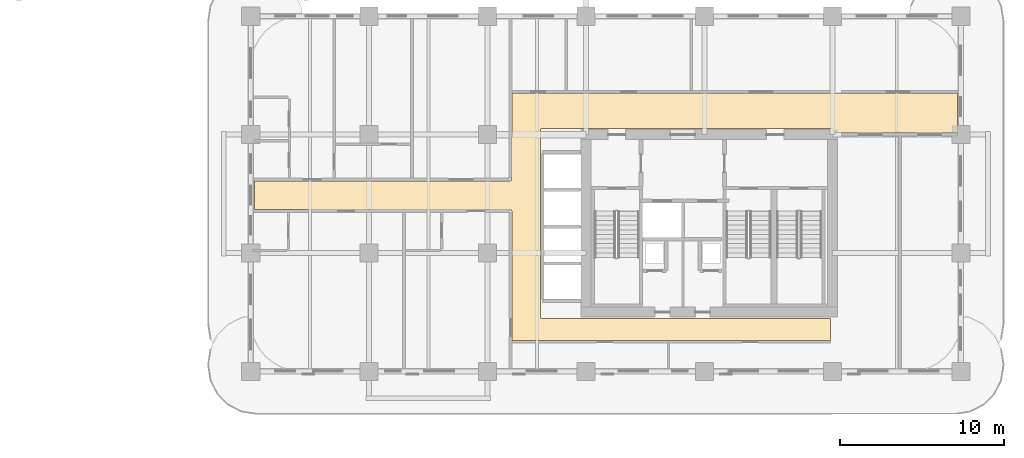
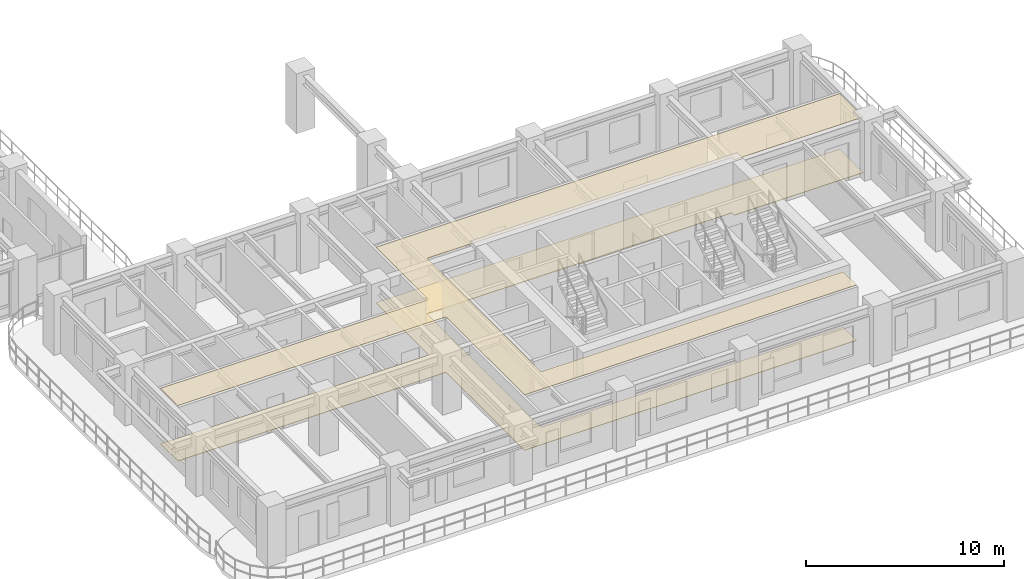
# One storey, part 16 of 19: 2 coverings.
"""IFC4 building model written with IfcOpenShell, lengths in metres."""

from ifc_helpers import new_model, si_unit, derived_unit, direction, frame, origin, place, context, subcontext, project, spatial, polyline, outline, extrude, material, layer, layer_set, type_object, element, save


model = new_model("IFC4")

# Units and contexts
model_context = context("Model", 3, precision=1e-05, world=origin(), true_north=direction((0.0, 1.0)))
body_context = subcontext(model_context, "Body", "Model", "MODEL_VIEW")
ifc_project = project(units=[si_unit("LENGTHUNIT", "METRE"), si_unit("AREAUNIT", "SQUARE_METRE"), si_unit("VOLUMEUNIT", "CUBIC_METRE"), si_unit("PLANEANGLEUNIT", "RADIAN"), si_unit("MASSUNIT", "GRAM", prefix="KILO"), si_unit("THERMODYNAMICTEMPERATUREUNIT", "KELVIN"), si_unit("POWERUNIT", "WATT"), derived_unit("THERMALTRANSMITTANCEUNIT", [(si_unit("POWERUNIT", "WATT"), 1), (si_unit("AREAUNIT", "SQUARE_METRE"), -1), (si_unit("THERMODYNAMICTEMPERATUREUNIT", "KELVIN"), -1)])], contexts=[model_context])

# Site, building, storey
site_placement = place(None, origin())
site = spatial("IfcSite", under=ifc_project, at=site_placement, CompositionType="ELEMENT")
building_placement = place(site_placement, origin())
building = spatial("IfcBuilding", under=site, at=building_placement, Name="Zahravan Archway Hotel and Residences", CompositionType="ELEMENT")
storey_placement = place(building_placement, frame((0.0, 0.0, 47.199951171875)))
storey = spatial("IfcBuildingStorey", under=building, at=storey_placement, Name="L10", CompositionType="ELEMENT", Elevation=47.199951171875)

# Coverings
ifc_material_1 = material(Name="Perforated Acoustic Gypsum Ceiling")
ifc_layer_1 = layer(ifc_material_1, 0.02490234375, Name="Perforated Acoustic Gypsum Ceiling")
ifc_layer_set_1 = layer_set([ifc_layer_1], Name="Perforated Acoustic Gypsum Ceiling")
covering_type_1 = type_object("IfcCoveringType", Name="COV-CEIL-ACST", PredefinedType="CEILING", material=ifc_layer_set_1)
covering_1_placement = place(storey_placement, frame((0.0, 0.0, 3.425048828125)))
element("IfcCovering", 1, at=covering_1_placement, inside=storey, type_object=covering_type_1, Name="L10 Acoustic Corridor Ceiling", PredefinedType="CEILING", context=body_context, shape_type="SweptSolid", body=[
    extrude(outline(polyline([(57.3798828125, 14.530029296875), (49.830078125, 14.530029296875), (49.830078125, 14.699951171875), (49.81640625, 14.744384765625), (49.780517578125, 14.77392578125), (32.10009765625, 14.780029296875), (32.0556640625, 14.7666015625), (32.026123046875, 14.730712890625), (32.02001953125, 3.300048828125), (32.033447265625, 3.255615234375), (32.0693359375, 3.22607421875), (49.669921875, 3.219970703125), (49.669921875, 1.8798828125), (30.280029296875, 1.8798828125), (30.280029296875, 9.75), (30.2666015625, 9.79443359375), (30.230712890625, 9.823974609375), (14.6201171875, 9.830078125), (14.6201171875, 11.590087890625), (30.199951171875, 11.590087890625), (30.244384765625, 11.603515625), (30.27392578125, 11.639404296875), (30.280029296875, 16.919921875), (57.3798828125, 16.919921875), (57.3798828125, 14.530029296875)])), origin(), (0.0, 0.0, 1.0), 0.02490234375),
])
ifc_material_2 = material(Name="Honed Margalla Limestone & Mortar Bed", Category="masonry")
ifc_layer_2 = layer(ifc_material_2, 0.030029296875, Name="Honed Margalla Limestone & Mortar Bed", Category="masonry")
ifc_layer_set_2 = layer_set([ifc_layer_2], Name="Honed Margalla Limestone & Mortar Bed")
covering_type_2 = type_object("IfcCoveringType", Name="COV-FLR-STONE", PredefinedType="FLOORING", material=ifc_layer_set_2)
covering_2_placement = place(storey_placement, origin())
element("IfcCovering", 2, at=covering_2_placement, inside=storey, type_object=covering_type_2, Name="L10 Circulation Floor Finish", PredefinedType="FLOORING", context=body_context, shape_type="SweptSolid", body=[
    extrude(outline(polyline([(57.3798828125, 14.530029296875), (49.830078125, 14.530029296875), (49.830078125, 14.699951171875), (49.81640625, 14.744384765625), (49.780517578125, 14.77392578125), (32.10009765625, 14.780029296875), (32.0556640625, 14.7666015625), (32.026123046875, 14.730712890625), (32.02001953125, 3.300048828125), (32.033447265625, 3.255615234375), (32.0693359375, 3.22607421875), (49.669921875, 3.219970703125), (49.669921875, 1.8798828125), (30.280029296875, 1.8798828125), (30.280029296875, 9.75), (30.2666015625, 9.79443359375), (30.230712890625, 9.823974609375), (14.6201171875, 9.830078125), (14.6201171875, 11.590087890625), (30.199951171875, 11.590087890625), (30.244384765625, 11.603515625), (30.27392578125, 11.639404296875), (30.280029296875, 16.919921875), (57.3798828125, 16.919921875), (57.3798828125, 14.530029296875)])), origin(), (0.0, 0.0, 1.0), 0.030029296875),
])

save(model, "model.ifc")
